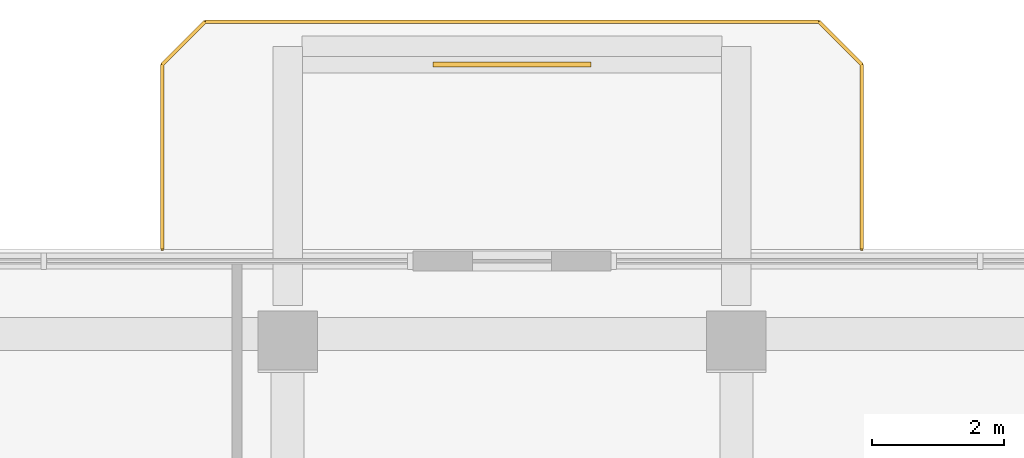
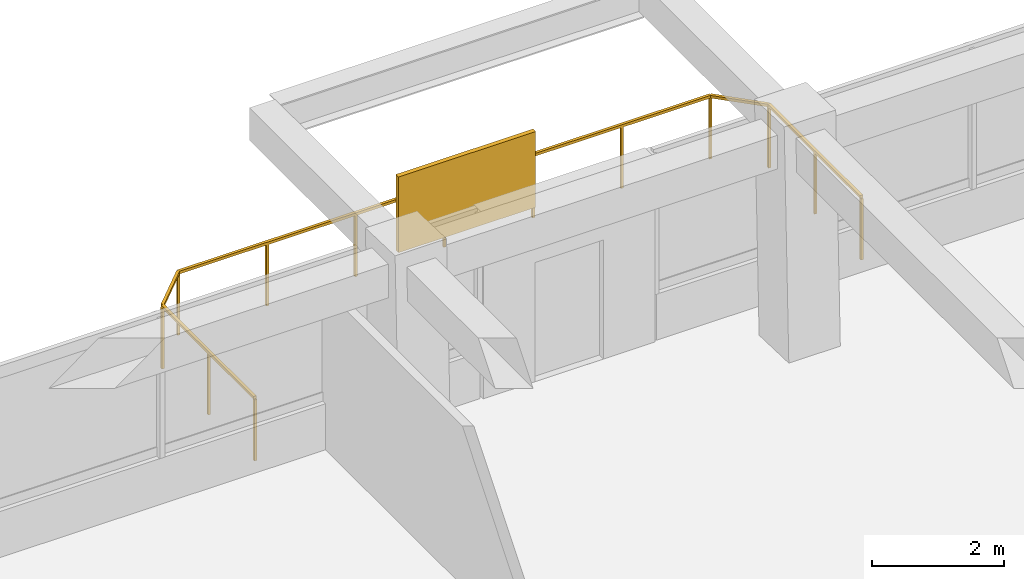
# One storey, part 13 of 13: 1 railing, 1 shading device.
"""IFC4 building model written with IfcOpenShell, lengths in metres."""

from ifc_helpers import new_model, si_unit, derived_unit, direction, frame, origin, origin_2d, place, context, subcontext, project, spatial, rectangle, extrude, material, layer, layer_set, type_object, element, save


model = new_model("IFC4")

# Units and contexts
model_context = context("Model", 3, precision=1e-05, world=origin(), true_north=direction((0.0, 1.0)))
body_context = subcontext(model_context, "Body", "Model", "MODEL_VIEW")
ifc_project = project(units=[si_unit("LENGTHUNIT", "METRE"), si_unit("AREAUNIT", "SQUARE_METRE"), si_unit("VOLUMEUNIT", "CUBIC_METRE"), si_unit("PLANEANGLEUNIT", "RADIAN"), si_unit("MASSUNIT", "GRAM", prefix="KILO"), derived_unit("THERMALTRANSMITTANCEUNIT", [(si_unit("POWERUNIT", "WATT"), 1), (si_unit("LENGTHUNIT", "METRE"), -2), (si_unit("THERMODYNAMICTEMPERATUREUNIT", "KELVIN"), -1)])], contexts=[model_context])

# Site, building, storey
site_placement = place(None, origin())
site = spatial("IfcSite", under=ifc_project, at=site_placement, CompositionType="ELEMENT")
building_placement = place(site_placement, origin())
building = spatial("IfcBuilding", under=site, at=building_placement, Name="Koralith Skygarden Medical Center", CompositionType="ELEMENT")
storey_placement = place(building_placement, frame((0.0, 0.0, 188.4599609375)))
storey = spatial("IfcBuildingStorey", under=building, at=storey_placement, Name="L48", CompositionType="ELEMENT", Elevation=188.4599609375)

# Railing
ifc_material_1 = material(Name="Steel ASTM A500 Grade C", Category="steel")
railing_type = type_object("IfcRailingType", Name="Outdoor Terrace & Balcony Safety Guardrail 1180", PredefinedType="GUARDRAIL", material=ifc_material_1)
railing_placement = place(storey_placement, frame((42.300048828125, 47.635009765625, 0.0)))
element("IfcRailing", 1, at=railing_placement, inside=storey, type_object=railing_type, Name="L48 N Balcony Perimeter Guardrail", PredefinedType="GUARDRAIL", context=body_context, shape_type="SweptSolid", body=[
    extrude(rectangle(XDim=0.050048828125, YDim=0.050048828125, at=origin_2d()), frame((0.0, 0.001953125, 1.15478515625), z_axis=(0.0, 1.0, 0.0), x_axis=(-1.0, 0.0, 0.0)), (0.0, 0.0, 1.0), 2.796142578125),
    extrude(rectangle(XDim=0.050048828125, YDim=0.050048828125, at=origin_2d()), frame((-0.00146484375, 2.801513671875, 1.15478515625), z_axis=(-0.707239558722, 0.706973978714, 0.0), x_axis=(-0.706973978714, -0.707239558722, 0.0)), (0.0, 0.0, 1.0), 0.915283203125),
    extrude(rectangle(XDim=0.050048828125, YDim=0.050048828125, at=origin_2d()), frame((-0.652099609375, 3.449951171875, 1.15478515625), z_axis=(-1.0, 0.0, 0.0), x_axis=(0.0, -1.0, 0.0)), (0.0, 0.0, 1.0), 9.2958984375),
    extrude(rectangle(XDim=0.050048828125, YDim=0.050048828125, at=origin_2d()), frame((-9.951416015625, 3.448486328125, 1.15478515625), z_axis=(-0.707239558722, -0.706973978714, 0.0), x_axis=(0.706973978714, -0.707239558722, 0.0)), (0.0, 0.0, 1.0), 0.915283203125),
    extrude(rectangle(XDim=0.050048828125, YDim=0.050048828125, at=origin_2d()), frame((-10.60009765625, 2.798095703125, 1.15478515625), z_axis=(0.0, -1.0, 0.0), x_axis=(1.0, 0.0, 0.0)), (0.0, 0.0, 1.0), 2.796142578125),
    extrude(rectangle(XDim=0.0419921875, YDim=0.0419921875, at=origin_2d()), origin(), (0.0, 0.0, 1.0), 1.1279296875),
    extrude(rectangle(XDim=0.0419921875, YDim=0.0419921875, at=origin_2d()), frame((0.0, 1.39990234375, 0.0)), (0.0, 0.0, 1.0), 1.1279296875),
    extrude(rectangle(XDim=0.0419921875, YDim=0.0419921875, at=origin_2d()), frame((0.0, 2.800048828125, 0.0)), (0.0, 0.0, 1.0), 1.1279296875),
    extrude(rectangle(XDim=0.0419921875, YDim=0.0419921875, at=origin_2d()), frame((-0.650146484375, 3.449951171875, 0.0)), (0.0, 0.0, 1.0), 1.1279296875),
    extrude(rectangle(XDim=0.0419921875, YDim=0.0419921875, at=origin_2d()), frame((-2.2001953125, 3.449951171875, 0.0)), (0.0, 0.0, 1.0), 1.1279296875),
    extrude(rectangle(XDim=0.0419921875, YDim=0.0419921875, at=origin_2d()), frame((-3.75, 3.449951171875, 0.0)), (0.0, 0.0, 1.0), 1.1279296875),
    extrude(rectangle(XDim=0.0419921875, YDim=0.0419921875, at=origin_2d()), frame((-5.300048828125, 3.449951171875, 0.0)), (0.0, 0.0, 1.0), 1.1279296875),
    extrude(rectangle(XDim=0.0419921875, YDim=0.0419921875, at=origin_2d()), frame((-6.85009765625, 3.449951171875, 0.0)), (0.0, 0.0, 1.0), 1.1279296875),
    extrude(rectangle(XDim=0.0419921875, YDim=0.0419921875, at=origin_2d()), frame((-8.39990234375, 3.449951171875, 0.0)), (0.0, 0.0, 1.0), 1.1279296875),
    extrude(rectangle(XDim=0.0419921875, YDim=0.0419921875, at=origin_2d()), frame((-9.949951171875, 3.449951171875, 0.0)), (0.0, 0.0, 1.0), 1.1279296875),
    extrude(rectangle(XDim=0.0419921875, YDim=0.0419921875, at=origin_2d()), frame((-10.60009765625, 2.800048828125, 0.0)), (0.0, 0.0, 1.0), 1.1279296875),
    extrude(rectangle(XDim=0.0419921875, YDim=0.0419921875, at=origin_2d()), frame((-10.60009765625, 1.39990234375, 0.0)), (0.0, 0.0, 1.0), 1.1279296875),
    extrude(rectangle(XDim=0.0419921875, YDim=0.0419921875, at=origin_2d()), frame((-10.60009765625, 0.0, 0.0)), (0.0, 0.0, 1.0), 1.1279296875),
])

# Shading device
ifc_material_2 = material(Name="Aluminium 6063-T6", Category="aluminium")
ifc_layer = layer(ifc_material_2, 0.080078125)
ifc_layer_set = layer_set([ifc_layer], Name="Aluminium 6063-T6")
shading_device_type = type_object("IfcShadingDeviceType", Name="Perforated Biophilic Balcony Trellis Screen", PredefinedType="USERDEFINED", material=ifc_layer_set)
shading_device_placement = place(storey_placement, frame((37.0, 50.43505859375, 0.719970703125), z_axis=(0.0, 0.0, 1.0), x_axis=(1.0, 0.0, 0.0)))
element("IfcShadingDevice", 2, at=shading_device_placement, inside=storey, type_object=shading_device_type, Name="L48 N Biophilic Balcony Trellis Screen", ObjectType="HURRICANE SCREEN", PredefinedType="USERDEFINED", context=body_context, shape_type="SweptSolid", body=[
    extrude(rectangle(XDim=2.39990234375, YDim=0.080078125, at=origin_2d()), origin(), (0.0, 0.0, 1.0), 1.39990234375),
])

save(model, "model.ifc")
